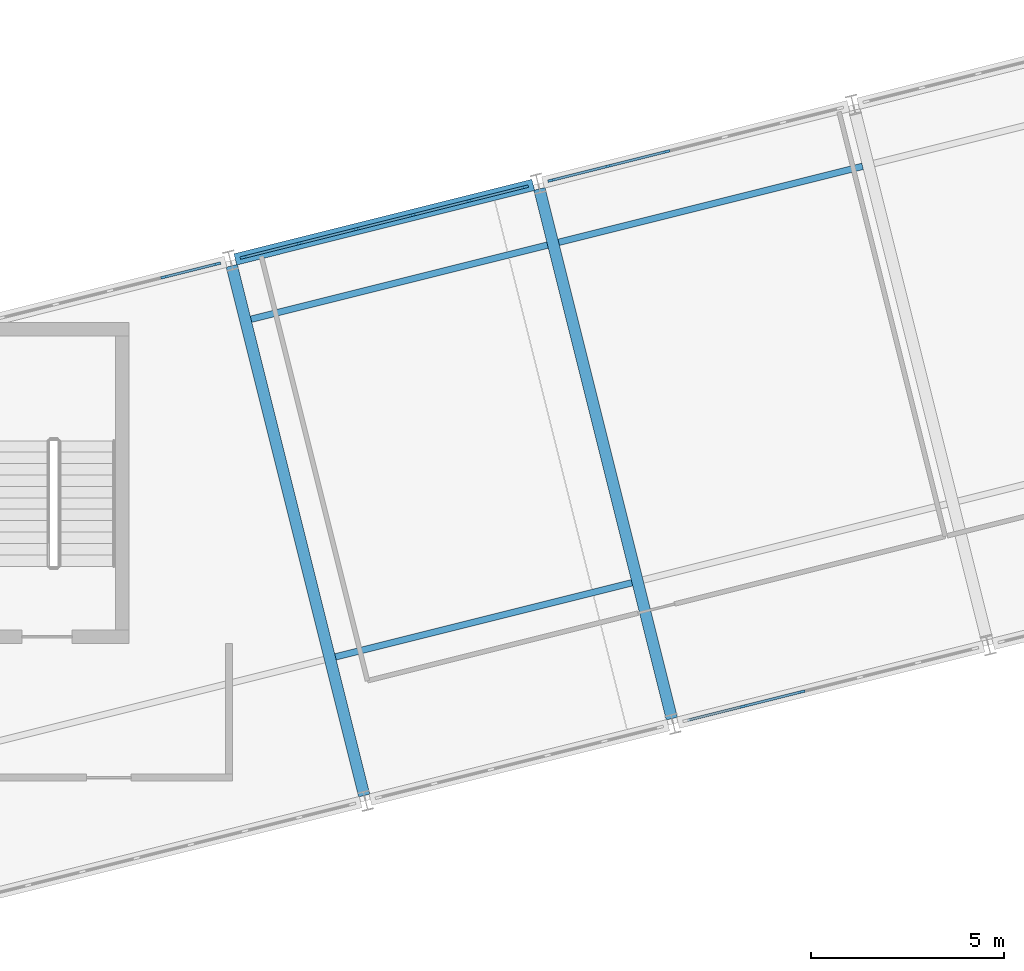
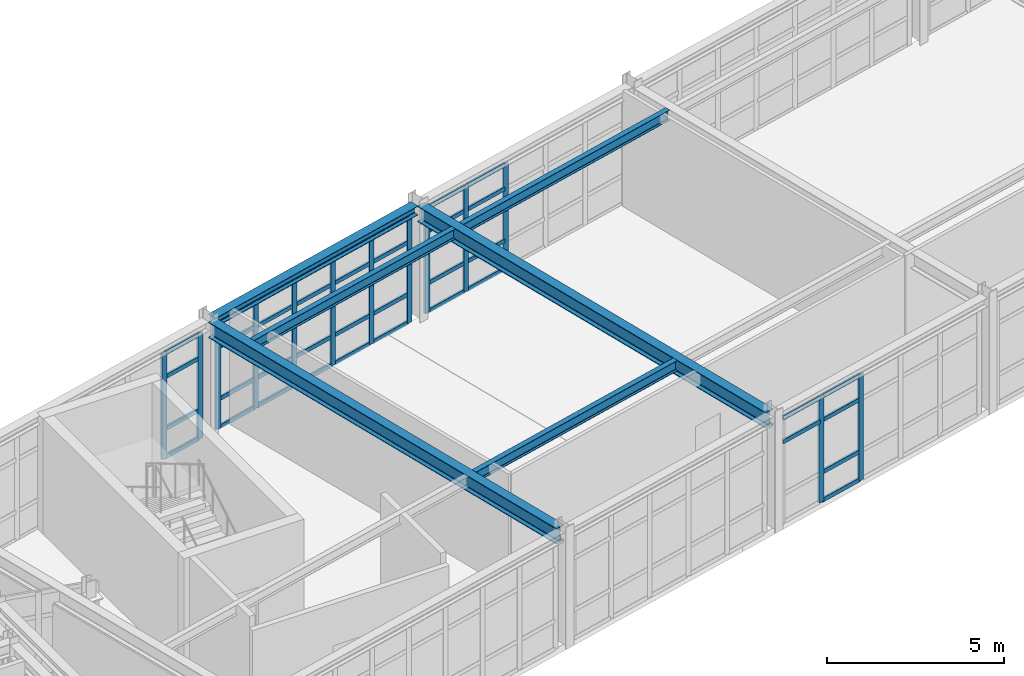
# One storey, part 20 of 88: 51 members, 6 beams, 4 elements without a shape of their own.
"""IFC4 building model written with IfcOpenShell, lengths in metres."""

from ifc_helpers import new_model, si_unit, direction, frame, origin, origin_2d, place, context, subcontext, project, spatial, rectangle, i_section, extrude, material, layer, layer_set, material_profile, profile_set, type_object, element, aggregate, save


model = new_model("IFC4")

# Units and contexts
model_context = context("Model", 3, precision=1e-05, world=origin(), true_north=direction((0.0, 1.0)))
body_context = subcontext(model_context, "Body", "Model", "MODEL_VIEW")
ifc_project = project(units=[si_unit("LENGTHUNIT", "METRE"), si_unit("AREAUNIT", "SQUARE_METRE"), si_unit("VOLUMEUNIT", "CUBIC_METRE"), si_unit("PLANEANGLEUNIT", "RADIAN"), si_unit("MASSUNIT", "GRAM", prefix="KILO")], contexts=[model_context])

# Site, building, storey
site_placement = place(None, origin())
site = spatial("IfcSite", under=ifc_project, at=site_placement, CompositionType="ELEMENT")
building_placement = place(site_placement, origin())
building = spatial("IfcBuilding", under=site, at=building_placement, Name="Nordkorset Police Headquarters", CompositionType="ELEMENT")
storey_placement = place(building_placement, frame((0.0, 0.0, 9.449951171875)))
storey = spatial("IfcBuildingStorey", under=building, at=storey_placement, Name="L02", CompositionType="ELEMENT", Elevation=9.449951171875)

# Beams
ifc_material_1 = material(Name="Steel S355J2", Category="steel")
ifc_material_profile_1 = material_profile(ifc_material_1, i_section(OverallWidth=0.169921875, OverallDepth=0.360107421875, WebThickness=0.008056640625, FlangeThickness=0.0126953125, FilletRadius=0.01806640625, at=origin_2d()), Name="IPE 360")
ifc_profile_set_1 = profile_set([ifc_material_profile_1], Name="Steel S355J2")
beam_type_1 = type_object("IfcBeamType", Name="Beam_IPE_360", PredefinedType="BEAM", material=ifc_profile_set_1)
for number, where, z_axis, x_axis, name in (
    (1, (34.65966796875, 48.681884765625, 3.7900390625), (0.970142500145, 0.242535625036, 0.0), (-0.242535625036, 0.970142500145, 0.0), "Splayed Wing Secondary Beam L02 1-1"),
    (2, (32.476806640625, 57.4130859375, 3.7900390625), (0.970142500145, 0.242535625036, 0.0), (-0.242535625036, 0.970142500145, 0.0), "Splayed Wing Secondary Beam L02 1-2"),
):
    element("IfcBeam", number, at=place(storey_placement, frame(where, z_axis=z_axis, x_axis=x_axis)), inside=storey, type_object=beam_type_1, Name=name, PredefinedType="BEAM", context=body_context, shape_type="SweptSolid", body=[
        extrude(i_section(OverallWidth=0.169921875, OverallDepth=0.360107421875, WebThickness=0.008056640625, FlangeThickness=0.0126953125, FilletRadius=0.01806640625, at=origin_2d()), origin(), (0.0, 0.0, 1.0), 7.89990234375),
    ])
beam_1_placement = place(storey_placement, frame((40.431884765625, 59.40185546875, 3.7900390625), z_axis=(0.970140727133, 0.242542716974, 0.0), x_axis=(-0.242542716974, 0.970140727133, 0.0)))
element("IfcBeam", 3, at=beam_1_placement, inside=storey, type_object=beam_type_1, Name="Splayed Wing Secondary Beam L02 2-2", PredefinedType="BEAM", context=body_context, shape_type="SweptSolid", body=[
    extrude(i_section(OverallWidth=0.169921875, OverallDepth=0.360107421875, WebThickness=0.008056640625, FlangeThickness=0.0126953125, FilletRadius=0.01806640625, at=origin_2d()), origin(), (0.0, 0.0, 1.0), 8.10009765625),
])

# Curtain wall, members
ifc_material_2 = material(Name="Aluminium alloy AW-6060", Category="aluminium")
ifc_layer_1 = layer(ifc_material_2, 0.179931640625, Name="Aluminium alloy AW-6060")
ifc_layer_set_1 = layer_set([ifc_layer_1], Name="Aluminium alloy AW-6060")
curtain_wall_type_1 = type_object("IfcCurtainWallType", Name="CW_Unit_1156x364", PredefinedType="USERDEFINED", material=ifc_layer_set_1)
curtain_wall_1_placement = place(storey_placement, origin())
curtain_wall_1 = element("IfcCurtainWall", 4, at=curtain_wall_1_placement, inside=storey, type_object=curtain_wall_type_1, Name="Unitised Curtain Wall L02 V4N-0", ObjectType="UNITISED CURTAIN WALL", PredefinedType="USERDEFINED")
ifc_material_3 = material(Name="Aluminium alloy AW-6060", Category="aluminium")
ifc_material_profile_2 = material_profile(ifc_material_3, rectangle(XDim=0.06494140625, YDim=0.179931640625, at=origin_2d()), Name="ALU MULL 65x180")
ifc_profile_set_2 = profile_set([ifc_material_profile_2], Name="Aluminium alloy AW-6060")
member_type_1 = type_object("IfcMemberType", Name="CW_Mullion_65x180", PredefinedType="MULLION", material=ifc_profile_set_2)
member_1_placement = place(storey_placement, frame((30.23095703125, 58.5009765625, 0.0), z_axis=(0.0, 0.0, 1.0), x_axis=(-0.242536235663, 0.970142347489, 0.0)))
member_1 = element("IfcMember", 5, at=member_1_placement, type_object=member_type_1, Name="CW-103 mullion 8", PredefinedType="MULLION", context=body_context, shape_type="SweptSolid", body=[
    extrude(rectangle(XDim=0.06494140625, YDim=0.179931640625, at=origin_2d()), origin(), (0.0, 0.0, 1.0), 3.64013671875),
])
member_2_placement = place(storey_placement, frame((31.601318359375, 58.843505859375, 0.0), z_axis=(0.0, 0.0, 1.0), x_axis=(-0.242536235663, 0.970142347489, 0.0)))
member_2 = element("IfcMember", 6, at=member_2_placement, type_object=member_type_1, Name="CW-103 mullion 9", PredefinedType="MULLION", context=body_context, shape_type="SweptSolid", body=[
    extrude(rectangle(XDim=0.06494140625, YDim=0.179931640625, at=origin_2d()), origin(), (0.0, 0.0, 1.0), 3.64013671875),
])

ifc_material_4 = material(Name="Aluminium alloy AW-6060", Category="aluminium")
ifc_layer_2 = layer(ifc_material_4, 0.179931640625, Name="Aluminium alloy AW-6060")
ifc_layer_set_2 = layer_set([ifc_layer_2], Name="Aluminium alloy AW-6060")
curtain_wall_type_2 = type_object("IfcCurtainWallType", Name="CW_Unit_756x364", PredefinedType="USERDEFINED", material=ifc_layer_set_2)
curtain_wall_2_placement = place(storey_placement, origin())
curtain_wall_2 = element("IfcCurtainWall", 7, at=curtain_wall_2_placement, inside=storey, type_object=curtain_wall_type_2, Name="Unitised Curtain Wall L02 V4N-1", ObjectType="UNITISED CURTAIN WALL", PredefinedType="USERDEFINED")
member_3_placement = place(storey_placement, frame((32.28515625, 59.014404296875, 0.0), z_axis=(0.0, 0.0, 1.0), x_axis=(-0.242535625038, 0.970142500145, 0.0)))
member_3 = element("IfcMember", 8, at=member_3_placement, type_object=member_type_1, Name="CW-10 mullion 1", PredefinedType="MULLION", context=body_context, shape_type="SweptSolid", body=[
    extrude(rectangle(XDim=0.06494140625, YDim=0.179931640625, at=origin_2d()), origin(), (0.0, 0.0, 1.0), 3.64013671875),
])
member_4_placement = place(storey_placement, frame((33.720458984375, 59.373291015625, 0.0), z_axis=(0.0, 0.0, 1.0), x_axis=(-0.242535625038, 0.970142500145, 0.0)))
member_4 = element("IfcMember", 9, at=member_4_placement, type_object=member_type_1, Name="CW-10 mullion 2", PredefinedType="MULLION", context=body_context, shape_type="SweptSolid", body=[
    extrude(rectangle(XDim=0.06494140625, YDim=0.179931640625, at=origin_2d()), origin(), (0.0, 0.0, 1.0), 3.64013671875),
])
member_5_placement = place(storey_placement, frame((35.1875, 59.739990234375, 0.0), z_axis=(0.0, 0.0, 1.0), x_axis=(-0.242535625038, 0.970142500145, 0.0)))
member_5 = element("IfcMember", 10, at=member_5_placement, type_object=member_type_1, Name="CW-10 mullion 3", PredefinedType="MULLION", context=body_context, shape_type="SweptSolid", body=[
    extrude(rectangle(XDim=0.06494140625, YDim=0.179931640625, at=origin_2d()), origin(), (0.0, 0.0, 1.0), 3.64013671875),
])
member_6_placement = place(storey_placement, frame((36.654296875, 60.106689453125, 0.0), z_axis=(0.0, 0.0, 1.0), x_axis=(-0.242535625038, 0.970142500145, 0.0)))
member_6 = element("IfcMember", 11, at=member_6_placement, type_object=member_type_1, Name="CW-10 mullion 4", PredefinedType="MULLION", context=body_context, shape_type="SweptSolid", body=[
    extrude(rectangle(XDim=0.06494140625, YDim=0.179931640625, at=origin_2d()), origin(), (0.0, 0.0, 1.0), 3.64013671875),
])
member_7_placement = place(storey_placement, frame((38.12109375, 60.473388671875, 0.0), z_axis=(0.0, 0.0, 1.0), x_axis=(-0.242535625038, 0.970142500145, 0.0)))
member_7 = element("IfcMember", 12, at=member_7_placement, type_object=member_type_1, Name="CW-10 mullion 5", PredefinedType="MULLION", context=body_context, shape_type="SweptSolid", body=[
    extrude(rectangle(XDim=0.06494140625, YDim=0.179931640625, at=origin_2d()), origin(), (0.0, 0.0, 1.0), 3.64013671875),
])
member_8_placement = place(storey_placement, frame((39.556396484375, 60.832275390625, 0.0), z_axis=(0.0, 0.0, 1.0), x_axis=(-0.242535625038, 0.970142500145, 0.0)))
member_8 = element("IfcMember", 13, at=member_8_placement, type_object=member_type_1, Name="CW-10 mullion 6", PredefinedType="MULLION", context=body_context, shape_type="SweptSolid", body=[
    extrude(rectangle(XDim=0.06494140625, YDim=0.179931640625, at=origin_2d()), origin(), (0.0, 0.0, 1.0), 3.64013671875),
])

ifc_material_5 = material(Name="Aluminium alloy AW-6060", Category="aluminium")
ifc_layer_3 = layer(ifc_material_5, 0.179931640625, Name="Aluminium alloy AW-6060")
ifc_layer_set_3 = layer_set([ifc_layer_3], Name="Aluminium alloy AW-6060")
curtain_wall_type_3 = type_object("IfcCurtainWallType", Name="CW_Unit_776x364", PredefinedType="USERDEFINED", material=ifc_layer_set_3)
curtain_wall_3_placement = place(storey_placement, origin())
curtain_wall_3 = element("IfcCurtainWall", 14, at=curtain_wall_3_placement, inside=storey, type_object=curtain_wall_type_3, Name="Unitised Curtain Wall L02 V4S-2", ObjectType="UNITISED CURTAIN WALL", PredefinedType="USERDEFINED")
member_9_placement = place(storey_placement, frame((45.20703125, 47.40185546875, 0.0), z_axis=(0.0, 0.0, 1.0), x_axis=(-0.24253471539, 0.970142727556, 0.0)))
member_9 = element("IfcMember", 15, at=member_9_placement, type_object=member_type_1, Name="CW-100 mullion 2", PredefinedType="MULLION", context=body_context, shape_type="SweptSolid", body=[
    extrude(rectangle(XDim=0.06494140625, YDim=0.179931640625, at=origin_2d()), origin(), (0.0, 0.0, 1.0), 3.64013671875),
])
member_10_placement = place(storey_placement, frame((46.712646484375, 47.778076171875, 0.0), z_axis=(0.0, 0.0, 1.0), x_axis=(-0.24253471539, 0.970142727556, 0.0)))
member_10 = element("IfcMember", 16, at=member_10_placement, type_object=member_type_1, Name="CW-100 mullion 3", PredefinedType="MULLION", context=body_context, shape_type="SweptSolid", body=[
    extrude(rectangle(XDim=0.06494140625, YDim=0.179931640625, at=origin_2d()), origin(), (0.0, 0.0, 1.0), 3.64013671875),
])

curtain_wall_4_placement = place(storey_placement, origin())
curtain_wall_4 = element("IfcCurtainWall", 17, at=curtain_wall_4_placement, inside=storey, type_object=curtain_wall_type_3, Name="Unitised Curtain Wall L02 V4N-2", ObjectType="UNITISED CURTAIN WALL", PredefinedType="USERDEFINED")
member_11_placement = place(storey_placement, frame((40.240478515625, 61.003173828125, 0.0), z_axis=(0.0, 0.0, 1.0), x_axis=(-0.242535928242, 0.970142424344, 0.0)))
member_11 = element("IfcMember", 18, at=member_11_placement, type_object=member_type_1, Name="CW-100 mullion 1", PredefinedType="MULLION", context=body_context, shape_type="SweptSolid", body=[
    extrude(rectangle(XDim=0.06494140625, YDim=0.179931640625, at=origin_2d()), origin(), (0.0, 0.0, 1.0), 3.64013671875),
])
member_12_placement = place(storey_placement, frame((41.714599609375, 61.371826171875, 0.0), z_axis=(0.0, 0.0, 1.0), x_axis=(-0.242535928242, 0.970142424344, 0.0)))
member_12 = element("IfcMember", 19, at=member_12_placement, type_object=member_type_1, Name="CW-100 mullion 2", PredefinedType="MULLION", context=body_context, shape_type="SweptSolid", body=[
    extrude(rectangle(XDim=0.06494140625, YDim=0.179931640625, at=origin_2d()), origin(), (0.0, 0.0, 1.0), 3.64013671875),
])
member_13_placement = place(storey_placement, frame((43.22021484375, 61.748291015625, 0.0), z_axis=(0.0, 0.0, 1.0), x_axis=(-0.242535928242, 0.970142424344, 0.0)))
member_13 = element("IfcMember", 20, at=member_13_placement, type_object=member_type_1, Name="CW-100 mullion 3", PredefinedType="MULLION", context=body_context, shape_type="SweptSolid", body=[
    extrude(rectangle(XDim=0.06494140625, YDim=0.179931640625, at=origin_2d()), origin(), (0.0, 0.0, 1.0), 3.64013671875),
])

# Member
ifc_material_6 = material(Name="Aluminium alloy AW-6060", Category="aluminium")
ifc_material_profile_3 = material_profile(ifc_material_6, rectangle(XDim=0.06494140625, YDim=0.139892578125, at=origin_2d()), Name="ALU TRAN 65x140")
ifc_profile_set_3 = profile_set([ifc_material_profile_3], Name="Aluminium alloy AW-6060")
member_type_2 = type_object("IfcMemberType", Name="CW_Transom_65x140", PredefinedType="USERDEFINED", material=ifc_profile_set_3)
member_14_placement = place(storey_placement, frame((30.262451171875, 58.5087890625, 0.032470703125), z_axis=(0.970131842518, 0.242578251565, 0.0), x_axis=(-0.242578251565, 0.970131842518, 0.0)))
member_14 = element("IfcMember", 21, at=member_14_placement, type_object=member_type_2, Name="CW-103 transom 8.1", ObjectType="TRANSOM", PredefinedType="USERDEFINED", context=body_context, shape_type="SweptSolid", body=[
    extrude(rectangle(XDim=0.06494140625, YDim=0.139892578125, at=origin_2d()), origin(), (0.0, 0.0, 1.0), 1.34765625),
])

member_15_placement = place(storey_placement, frame((30.262451171875, 58.5087890625, 1.0), z_axis=(0.970131842518, 0.242578251565, 0.0), x_axis=(-0.242578251565, 0.970131842518, 0.0)))
member_15 = element("IfcMember", 22, at=member_15_placement, type_object=member_type_2, Name="CW-103 transom 8.2", ObjectType="TRANSOM", PredefinedType="USERDEFINED", context=body_context, shape_type="SweptSolid", body=[
    extrude(rectangle(XDim=0.06494140625, YDim=0.139892578125, at=origin_2d()), origin(), (0.0, 0.0, 1.0), 1.34765625),
])

member_16_placement = place(storey_placement, frame((30.262451171875, 58.5087890625, 2.7900390625), z_axis=(0.970131842518, 0.242578251565, 0.0), x_axis=(-0.242578251565, 0.970131842518, 0.0)))
member_16 = element("IfcMember", 23, at=member_16_placement, type_object=member_type_2, Name="CW-103 transom 8.3", ObjectType="TRANSOM", PredefinedType="USERDEFINED", context=body_context, shape_type="SweptSolid", body=[
    extrude(rectangle(XDim=0.06494140625, YDim=0.139892578125, at=origin_2d()), origin(), (0.0, 0.0, 1.0), 1.34765625),
])

member_17_placement = place(storey_placement, frame((30.262451171875, 58.5087890625, 3.607666015625), z_axis=(0.970131842518, 0.242578251565, 0.0), x_axis=(-0.242578251565, 0.970131842518, 0.0)))
member_17 = element("IfcMember", 24, at=member_17_placement, type_object=member_type_2, Name="CW-103 transom 8.4", ObjectType="TRANSOM", PredefinedType="USERDEFINED", context=body_context, shape_type="SweptSolid", body=[
    extrude(rectangle(XDim=0.06494140625, YDim=0.139892578125, at=origin_2d()), origin(), (0.0, 0.0, 1.0), 1.34765625),
])

aggregate(curtain_wall_1, [member_1, member_2, member_14, member_15, member_16, member_17])

member_18_placement = place(storey_placement, frame((32.316650390625, 59.0224609375, 0.032470703125), z_axis=(0.970152651902, 0.242495014396, 0.0), x_axis=(-0.242495014396, 0.970152651902, 0.0)))
member_18 = element("IfcMember", 25, at=member_18_placement, type_object=member_type_2, Name="CW-10 transom 1.1", ObjectType="TRANSOM", PredefinedType="USERDEFINED", context=body_context, shape_type="SweptSolid", body=[
    extrude(rectangle(XDim=0.06494140625, YDim=0.139892578125, at=origin_2d()), origin(), (0.0, 0.0, 1.0), 1.41455078125),
])

member_19_placement = place(storey_placement, frame((32.316650390625, 59.0224609375, 1.0), z_axis=(0.970152651902, 0.242495014396, 0.0), x_axis=(-0.242495014396, 0.970152651902, 0.0)))
member_19 = element("IfcMember", 26, at=member_19_placement, type_object=member_type_2, Name="CW-10 transom 1.2", ObjectType="TRANSOM", PredefinedType="USERDEFINED", context=body_context, shape_type="SweptSolid", body=[
    extrude(rectangle(XDim=0.06494140625, YDim=0.139892578125, at=origin_2d()), origin(), (0.0, 0.0, 1.0), 1.41455078125),
])

member_20_placement = place(storey_placement, frame((32.316650390625, 59.0224609375, 2.7900390625), z_axis=(0.970152651902, 0.242495014396, 0.0), x_axis=(-0.242495014396, 0.970152651902, 0.0)))
member_20 = element("IfcMember", 27, at=member_20_placement, type_object=member_type_2, Name="CW-10 transom 1.3", ObjectType="TRANSOM", PredefinedType="USERDEFINED", context=body_context, shape_type="SweptSolid", body=[
    extrude(rectangle(XDim=0.06494140625, YDim=0.139892578125, at=origin_2d()), origin(), (0.0, 0.0, 1.0), 1.41455078125),
])

member_21_placement = place(storey_placement, frame((32.316650390625, 59.0224609375, 3.607666015625), z_axis=(0.970152651902, 0.242495014396, 0.0), x_axis=(-0.242495014396, 0.970152651902, 0.0)))
member_21 = element("IfcMember", 28, at=member_21_placement, type_object=member_type_2, Name="CW-10 transom 1.4", ObjectType="TRANSOM", PredefinedType="USERDEFINED", context=body_context, shape_type="SweptSolid", body=[
    extrude(rectangle(XDim=0.06494140625, YDim=0.139892578125, at=origin_2d()), origin(), (0.0, 0.0, 1.0), 1.41455078125),
])

member_22_placement = place(storey_placement, frame((33.751953125, 59.381103515625, 0.032470703125), z_axis=(0.97012264784, 0.242615020451, 0.0), x_axis=(-0.242615020451, 0.97012264784, 0.0)))
member_22 = element("IfcMember", 29, at=member_22_placement, type_object=member_type_2, Name="CW-10 transom 2.1", ObjectType="TRANSOM", PredefinedType="USERDEFINED", context=body_context, shape_type="SweptSolid", body=[
    extrude(rectangle(XDim=0.06494140625, YDim=0.139892578125, at=origin_2d()), origin(), (0.0, 0.0, 1.0), 1.447021484375),
])

member_23_placement = place(storey_placement, frame((33.751953125, 59.381103515625, 1.0), z_axis=(0.97012264784, 0.242615020451, 0.0), x_axis=(-0.242615020451, 0.97012264784, 0.0)))
member_23 = element("IfcMember", 30, at=member_23_placement, type_object=member_type_2, Name="CW-10 transom 2.2", ObjectType="TRANSOM", PredefinedType="USERDEFINED", context=body_context, shape_type="SweptSolid", body=[
    extrude(rectangle(XDim=0.06494140625, YDim=0.139892578125, at=origin_2d()), origin(), (0.0, 0.0, 1.0), 1.447021484375),
])

member_24_placement = place(storey_placement, frame((33.751953125, 59.381103515625, 2.7900390625), z_axis=(0.97012264784, 0.242615020451, 0.0), x_axis=(-0.242615020451, 0.97012264784, 0.0)))
member_24 = element("IfcMember", 31, at=member_24_placement, type_object=member_type_2, Name="CW-10 transom 2.3", ObjectType="TRANSOM", PredefinedType="USERDEFINED", context=body_context, shape_type="SweptSolid", body=[
    extrude(rectangle(XDim=0.06494140625, YDim=0.139892578125, at=origin_2d()), origin(), (0.0, 0.0, 1.0), 1.447021484375),
])

member_25_placement = place(storey_placement, frame((33.751953125, 59.381103515625, 3.607666015625), z_axis=(0.97012264784, 0.242615020451, 0.0), x_axis=(-0.242615020451, 0.97012264784, 0.0)))
member_25 = element("IfcMember", 32, at=member_25_placement, type_object=member_type_2, Name="CW-10 transom 2.4", ObjectType="TRANSOM", PredefinedType="USERDEFINED", context=body_context, shape_type="SweptSolid", body=[
    extrude(rectangle(XDim=0.06494140625, YDim=0.139892578125, at=origin_2d()), origin(), (0.0, 0.0, 1.0), 1.447021484375),
])

member_26_placement = place(storey_placement, frame((35.218994140625, 59.747802734375, 0.032470703125), z_axis=(0.97012264784, 0.242615020451, 0.0), x_axis=(-0.242615020451, 0.97012264784, 0.0)))
member_26 = element("IfcMember", 33, at=member_26_placement, type_object=member_type_2, Name="CW-10 transom 3.1", ObjectType="TRANSOM", PredefinedType="USERDEFINED", context=body_context, shape_type="SweptSolid", body=[
    extrude(rectangle(XDim=0.06494140625, YDim=0.139892578125, at=origin_2d()), origin(), (0.0, 0.0, 1.0), 1.447021484375),
])

member_27_placement = place(storey_placement, frame((35.218994140625, 59.747802734375, 1.0), z_axis=(0.97012264784, 0.242615020451, 0.0), x_axis=(-0.242615020451, 0.97012264784, 0.0)))
member_27 = element("IfcMember", 34, at=member_27_placement, type_object=member_type_2, Name="CW-10 transom 3.2", ObjectType="TRANSOM", PredefinedType="USERDEFINED", context=body_context, shape_type="SweptSolid", body=[
    extrude(rectangle(XDim=0.06494140625, YDim=0.139892578125, at=origin_2d()), origin(), (0.0, 0.0, 1.0), 1.447021484375),
])

member_28_placement = place(storey_placement, frame((35.218994140625, 59.747802734375, 2.7900390625), z_axis=(0.97012264784, 0.242615020451, 0.0), x_axis=(-0.242615020451, 0.97012264784, 0.0)))
member_28 = element("IfcMember", 35, at=member_28_placement, type_object=member_type_2, Name="CW-10 transom 3.3", ObjectType="TRANSOM", PredefinedType="USERDEFINED", context=body_context, shape_type="SweptSolid", body=[
    extrude(rectangle(XDim=0.06494140625, YDim=0.139892578125, at=origin_2d()), origin(), (0.0, 0.0, 1.0), 1.447021484375),
])

member_29_placement = place(storey_placement, frame((35.218994140625, 59.747802734375, 3.607666015625), z_axis=(0.97012264784, 0.242615020451, 0.0), x_axis=(-0.242615020451, 0.97012264784, 0.0)))
member_29 = element("IfcMember", 36, at=member_29_placement, type_object=member_type_2, Name="CW-10 transom 3.4", ObjectType="TRANSOM", PredefinedType="USERDEFINED", context=body_context, shape_type="SweptSolid", body=[
    extrude(rectangle(XDim=0.06494140625, YDim=0.139892578125, at=origin_2d()), origin(), (0.0, 0.0, 1.0), 1.447021484375),
])

member_30_placement = place(storey_placement, frame((36.685791015625, 60.11474609375, 0.032470703125), z_axis=(0.970162346765, 0.242456224748, 0.0), x_axis=(-0.242456224748, 0.970162346765, 0.0)))
member_30 = element("IfcMember", 37, at=member_30_placement, type_object=member_type_2, Name="CW-10 transom 4.1", ObjectType="TRANSOM", PredefinedType="USERDEFINED", context=body_context, shape_type="SweptSolid", body=[
    extrude(rectangle(XDim=0.06494140625, YDim=0.139892578125, at=origin_2d()), origin(), (0.0, 0.0, 1.0), 1.447021484375),
])

member_31_placement = place(storey_placement, frame((36.685791015625, 60.11474609375, 1.0), z_axis=(0.970162346765, 0.242456224748, 0.0), x_axis=(-0.242456224748, 0.970162346765, 0.0)))
member_31 = element("IfcMember", 38, at=member_31_placement, type_object=member_type_2, Name="CW-10 transom 4.2", ObjectType="TRANSOM", PredefinedType="USERDEFINED", context=body_context, shape_type="SweptSolid", body=[
    extrude(rectangle(XDim=0.06494140625, YDim=0.139892578125, at=origin_2d()), origin(), (0.0, 0.0, 1.0), 1.447021484375),
])

member_32_placement = place(storey_placement, frame((36.685791015625, 60.11474609375, 2.7900390625), z_axis=(0.970162346765, 0.242456224748, 0.0), x_axis=(-0.242456224748, 0.970162346765, 0.0)))
member_32 = element("IfcMember", 39, at=member_32_placement, type_object=member_type_2, Name="CW-10 transom 4.3", ObjectType="TRANSOM", PredefinedType="USERDEFINED", context=body_context, shape_type="SweptSolid", body=[
    extrude(rectangle(XDim=0.06494140625, YDim=0.139892578125, at=origin_2d()), origin(), (0.0, 0.0, 1.0), 1.447021484375),
])

member_33_placement = place(storey_placement, frame((36.685791015625, 60.11474609375, 3.607666015625), z_axis=(0.970162346765, 0.242456224748, 0.0), x_axis=(-0.242456224748, 0.970162346765, 0.0)))
member_33 = element("IfcMember", 40, at=member_33_placement, type_object=member_type_2, Name="CW-10 transom 4.4", ObjectType="TRANSOM", PredefinedType="USERDEFINED", context=body_context, shape_type="SweptSolid", body=[
    extrude(rectangle(XDim=0.06494140625, YDim=0.139892578125, at=origin_2d()), origin(), (0.0, 0.0, 1.0), 1.447021484375),
])

member_34_placement = place(storey_placement, frame((38.152587890625, 60.4814453125, 0.032470703125), z_axis=(0.970152651902, 0.242495014396, 0.0), x_axis=(-0.242495014396, 0.970152651902, 0.0)))
member_34 = element("IfcMember", 41, at=member_34_placement, type_object=member_type_2, Name="CW-10 transom 5.1", ObjectType="TRANSOM", PredefinedType="USERDEFINED", context=body_context, shape_type="SweptSolid", body=[
    extrude(rectangle(XDim=0.06494140625, YDim=0.139892578125, at=origin_2d()), origin(), (0.0, 0.0, 1.0), 1.41455078125),
])

member_35_placement = place(storey_placement, frame((38.152587890625, 60.4814453125, 1.0), z_axis=(0.970152651902, 0.242495014396, 0.0), x_axis=(-0.242495014396, 0.970152651902, 0.0)))
member_35 = element("IfcMember", 42, at=member_35_placement, type_object=member_type_2, Name="CW-10 transom 5.2", ObjectType="TRANSOM", PredefinedType="USERDEFINED", context=body_context, shape_type="SweptSolid", body=[
    extrude(rectangle(XDim=0.06494140625, YDim=0.139892578125, at=origin_2d()), origin(), (0.0, 0.0, 1.0), 1.41455078125),
])

member_36_placement = place(storey_placement, frame((38.152587890625, 60.4814453125, 2.7900390625), z_axis=(0.970152651902, 0.242495014396, 0.0), x_axis=(-0.242495014396, 0.970152651902, 0.0)))
member_36 = element("IfcMember", 43, at=member_36_placement, type_object=member_type_2, Name="CW-10 transom 5.3", ObjectType="TRANSOM", PredefinedType="USERDEFINED", context=body_context, shape_type="SweptSolid", body=[
    extrude(rectangle(XDim=0.06494140625, YDim=0.139892578125, at=origin_2d()), origin(), (0.0, 0.0, 1.0), 1.41455078125),
])

member_37_placement = place(storey_placement, frame((38.152587890625, 60.4814453125, 3.607666015625), z_axis=(0.970152651902, 0.242495014396, 0.0), x_axis=(-0.242495014396, 0.970152651902, 0.0)))
member_37 = element("IfcMember", 44, at=member_37_placement, type_object=member_type_2, Name="CW-10 transom 5.4", ObjectType="TRANSOM", PredefinedType="USERDEFINED", context=body_context, shape_type="SweptSolid", body=[
    extrude(rectangle(XDim=0.06494140625, YDim=0.139892578125, at=origin_2d()), origin(), (0.0, 0.0, 1.0), 1.41455078125),
])

aggregate(curtain_wall_2, [member_3, member_4, member_5, member_6, member_7, member_8, member_18, member_19, member_20, member_21, member_22, member_23, member_24, member_25, member_26, member_27, member_28, member_29, member_30, member_31, member_32, member_33, member_34, member_35, member_36, member_37])

member_38_placement = place(storey_placement, frame((43.764404296875, 47.041015625, 2.7900390625), z_axis=(0.970142500145, 0.242535625036, 0.0), x_axis=(-0.242535625036, 0.970142500145, 0.0)))
member_38 = element("IfcMember", 45, at=member_38_placement, type_object=member_type_2, Name="CW-100 transom 1.3", ObjectType="TRANSOM", PredefinedType="USERDEFINED", context=body_context, shape_type="SweptSolid", body=[
    extrude(rectangle(XDim=0.06494140625, YDim=0.139892578125, at=origin_2d()), origin(), (0.0, 0.0, 1.0), 1.45458984375),
])

member_39_placement = place(storey_placement, frame((43.764404296875, 47.041015625, 3.607666015625), z_axis=(0.970142500145, 0.242535625036, 0.0), x_axis=(-0.242535625036, 0.970142500145, 0.0)))
member_39 = element("IfcMember", 46, at=member_39_placement, type_object=member_type_2, Name="CW-100 transom 1.4", ObjectType="TRANSOM", PredefinedType="USERDEFINED", context=body_context, shape_type="SweptSolid", body=[
    extrude(rectangle(XDim=0.06494140625, YDim=0.139892578125, at=origin_2d()), origin(), (0.0, 0.0, 1.0), 1.45458984375),
])

member_40_placement = place(storey_placement, frame((45.238525390625, 47.40966796875, 0.032470703125), z_axis=(0.970152157148, 0.242496993757, 0.0), x_axis=(-0.242496993757, 0.970152157148, 0.0)))
member_40 = element("IfcMember", 47, at=member_40_placement, type_object=member_type_2, Name="CW-100 transom 2.1", ObjectType="TRANSOM", PredefinedType="USERDEFINED", context=body_context, shape_type="SweptSolid", body=[
    extrude(rectangle(XDim=0.06494140625, YDim=0.139892578125, at=origin_2d()), origin(), (0.0, 0.0, 1.0), 1.487060546875),
])

member_41_placement = place(storey_placement, frame((45.238525390625, 47.40966796875, 1.0), z_axis=(0.970152157148, 0.242496993757, 0.0), x_axis=(-0.242496993757, 0.970152157148, 0.0)))
member_41 = element("IfcMember", 48, at=member_41_placement, type_object=member_type_2, Name="CW-100 transom 2.2", ObjectType="TRANSOM", PredefinedType="USERDEFINED", context=body_context, shape_type="SweptSolid", body=[
    extrude(rectangle(XDim=0.06494140625, YDim=0.139892578125, at=origin_2d()), origin(), (0.0, 0.0, 1.0), 1.487060546875),
])

member_42_placement = place(storey_placement, frame((45.238525390625, 47.40966796875, 2.7900390625), z_axis=(0.970152157148, 0.242496993757, 0.0), x_axis=(-0.242496993757, 0.970152157148, 0.0)))
member_42 = element("IfcMember", 49, at=member_42_placement, type_object=member_type_2, Name="CW-100 transom 2.3", ObjectType="TRANSOM", PredefinedType="USERDEFINED", context=body_context, shape_type="SweptSolid", body=[
    extrude(rectangle(XDim=0.06494140625, YDim=0.139892578125, at=origin_2d()), origin(), (0.0, 0.0, 1.0), 1.487060546875),
])

member_43_placement = place(storey_placement, frame((45.238525390625, 47.40966796875, 3.607666015625), z_axis=(0.970152157148, 0.242496993757, 0.0), x_axis=(-0.242496993757, 0.970152157148, 0.0)))
member_43 = element("IfcMember", 50, at=member_43_placement, type_object=member_type_2, Name="CW-100 transom 2.4", ObjectType="TRANSOM", PredefinedType="USERDEFINED", context=body_context, shape_type="SweptSolid", body=[
    extrude(rectangle(XDim=0.06494140625, YDim=0.139892578125, at=origin_2d()), origin(), (0.0, 0.0, 1.0), 1.487060546875),
])

aggregate(curtain_wall_3, [member_9, member_10, member_38, member_39, member_40, member_41, member_42, member_43])

member_44_placement = place(storey_placement, frame((40.27197265625, 61.01123046875, 0.032470703125), z_axis=(0.970132624514, 0.242575124143, 0.0), x_axis=(-0.242575124143, 0.970132624514, 0.0)))
member_44 = element("IfcMember", 51, at=member_44_placement, type_object=member_type_2, Name="CW-100 transom 1.1", ObjectType="TRANSOM", PredefinedType="USERDEFINED", context=body_context, shape_type="SweptSolid", body=[
    extrude(rectangle(XDim=0.06494140625, YDim=0.139892578125, at=origin_2d()), origin(), (0.0, 0.0, 1.0), 1.454345703125),
])

member_45_placement = place(storey_placement, frame((40.27197265625, 61.01123046875, 1.0), z_axis=(0.970132624514, 0.242575124143, 0.0), x_axis=(-0.242575124143, 0.970132624514, 0.0)))
member_45 = element("IfcMember", 52, at=member_45_placement, type_object=member_type_2, Name="CW-100 transom 1.2", ObjectType="TRANSOM", PredefinedType="USERDEFINED", context=body_context, shape_type="SweptSolid", body=[
    extrude(rectangle(XDim=0.06494140625, YDim=0.139892578125, at=origin_2d()), origin(), (0.0, 0.0, 1.0), 1.454345703125),
])

member_46_placement = place(storey_placement, frame((40.27197265625, 61.01123046875, 2.7900390625), z_axis=(0.970132624514, 0.242575124143, 0.0), x_axis=(-0.242575124143, 0.970132624514, 0.0)))
member_46 = element("IfcMember", 53, at=member_46_placement, type_object=member_type_2, Name="CW-100 transom 1.3", ObjectType="TRANSOM", PredefinedType="USERDEFINED", context=body_context, shape_type="SweptSolid", body=[
    extrude(rectangle(XDim=0.06494140625, YDim=0.139892578125, at=origin_2d()), origin(), (0.0, 0.0, 1.0), 1.454345703125),
])

member_47_placement = place(storey_placement, frame((40.27197265625, 61.01123046875, 3.607666015625), z_axis=(0.970132624514, 0.242575124143, 0.0), x_axis=(-0.242575124143, 0.970132624514, 0.0)))
member_47 = element("IfcMember", 54, at=member_47_placement, type_object=member_type_2, Name="CW-100 transom 1.4", ObjectType="TRANSOM", PredefinedType="USERDEFINED", context=body_context, shape_type="SweptSolid", body=[
    extrude(rectangle(XDim=0.06494140625, YDim=0.139892578125, at=origin_2d()), origin(), (0.0, 0.0, 1.0), 1.454345703125),
])

member_48_placement = place(storey_placement, frame((41.74609375, 61.379638671875, 0.032470703125), z_axis=(0.970152157148, 0.242496993757, 0.0), x_axis=(-0.242496993757, 0.970152157148, 0.0)))
member_48 = element("IfcMember", 55, at=member_48_placement, type_object=member_type_2, Name="CW-100 transom 2.1", ObjectType="TRANSOM", PredefinedType="USERDEFINED", context=body_context, shape_type="SweptSolid", body=[
    extrude(rectangle(XDim=0.06494140625, YDim=0.139892578125, at=origin_2d()), origin(), (0.0, 0.0, 1.0), 1.487060546875),
])

member_49_placement = place(storey_placement, frame((41.74609375, 61.379638671875, 1.0), z_axis=(0.970152157148, 0.242496993757, 0.0), x_axis=(-0.242496993757, 0.970152157148, 0.0)))
member_49 = element("IfcMember", 56, at=member_49_placement, type_object=member_type_2, Name="CW-100 transom 2.2", ObjectType="TRANSOM", PredefinedType="USERDEFINED", context=body_context, shape_type="SweptSolid", body=[
    extrude(rectangle(XDim=0.06494140625, YDim=0.139892578125, at=origin_2d()), origin(), (0.0, 0.0, 1.0), 1.487060546875),
])

member_50_placement = place(storey_placement, frame((41.74609375, 61.379638671875, 2.7900390625), z_axis=(0.970152157148, 0.242496993757, 0.0), x_axis=(-0.242496993757, 0.970152157148, 0.0)))
member_50 = element("IfcMember", 57, at=member_50_placement, type_object=member_type_2, Name="CW-100 transom 2.3", ObjectType="TRANSOM", PredefinedType="USERDEFINED", context=body_context, shape_type="SweptSolid", body=[
    extrude(rectangle(XDim=0.06494140625, YDim=0.139892578125, at=origin_2d()), origin(), (0.0, 0.0, 1.0), 1.487060546875),
])

member_51_placement = place(storey_placement, frame((41.74609375, 61.379638671875, 3.607666015625), z_axis=(0.970152157148, 0.242496993757, 0.0), x_axis=(-0.242496993757, 0.970152157148, 0.0)))
member_51 = element("IfcMember", 58, at=member_51_placement, type_object=member_type_2, Name="CW-100 transom 2.4", ObjectType="TRANSOM", PredefinedType="USERDEFINED", context=body_context, shape_type="SweptSolid", body=[
    extrude(rectangle(XDim=0.06494140625, YDim=0.139892578125, at=origin_2d()), origin(), (0.0, 0.0, 1.0), 1.487060546875),
])

aggregate(curtain_wall_4, [member_11, member_12, member_13, member_44, member_45, member_46, member_47, member_48, member_49, member_50, member_51])

# Beams
ifc_material_7 = material(Name="Steel S355J2", Category="steel")
ifc_material_profile_4 = material_profile(ifc_material_7, i_section(OverallWidth=0.300048828125, OverallDepth=0.5400390625, WebThickness=0.012451171875, FlangeThickness=0.02392578125, FilletRadius=0.027099609375, at=origin_2d()), Name="HEA 550")
ifc_profile_set_4 = profile_set([ifc_material_profile_4], Name="Steel S355J2")
beam_type_2 = type_object("IfcBeamType", Name="Girder_HEA_550", PredefinedType="USERDEFINED", material=ifc_profile_set_4)
for number, where, z_axis, x_axis, name in (
    (59, (35.40185546875, 45.0947265625, 3.699951171875), (-0.24253155672, 0.970143517215, 0.0), (-0.970143517215, -0.24253155672, 0.0), "Splayed Wing Transverse Girder L02 1"),
    (60, (43.35693359375, 47.08349609375, 3.699951171875), (-0.24253155672, 0.970143517215, 0.0), (-0.970143517215, -0.24253155672, 0.0), "Splayed Wing Transverse Girder L02 2"),
):
    element("IfcBeam", number, at=place(storey_placement, frame(where, z_axis=z_axis, x_axis=x_axis)), inside=storey, type_object=beam_type_2, Name=name, ObjectType="GIRDER", PredefinedType="USERDEFINED", context=body_context, shape_type="SweptSolid", body=[
        extrude(i_section(OverallWidth=0.300048828125, OverallDepth=0.5400390625, WebThickness=0.012451171875, FlangeThickness=0.02392578125, FilletRadius=0.027099609375, at=origin_2d()), origin(), (0.0, 0.0, 1.0), 14.1201171875),
    ])
ifc_material_8 = material(Name="Steel S355J2", Category="steel")
ifc_material_profile_5 = material_profile(ifc_material_8, i_section(OverallWidth=0.300048828125, OverallDepth=0.31005859375, WebThickness=0.009033203125, FlangeThickness=0.015380859375, FilletRadius=0.027099609375, at=origin_2d()), Name="HEA 320")
ifc_profile_set_5 = profile_set([ifc_material_profile_5], Name="Steel S355J2")
beam_type_3 = type_object("IfcBeamType", Name="Spandrel_HEA_320", PredefinedType="SPANDREL", material=ifc_profile_set_5)
beam_2_placement = place(storey_placement, frame((32.0693359375, 58.96044921875, 3.81494140625), z_axis=(0.970140691393, 0.242542859932, 0.0), x_axis=(-0.242542859932, 0.970140691393, 0.0)))
element("IfcBeam", 61, at=beam_2_placement, inside=storey, type_object=beam_type_3, Name="Splayed Wing Spandrel L02 1-1", PredefinedType="SPANDREL", context=body_context, shape_type="SweptSolid", body=[
    extrude(i_section(OverallWidth=0.300048828125, OverallDepth=0.31005859375, WebThickness=0.009033203125, FlangeThickness=0.015380859375, FilletRadius=0.027099609375, at=origin_2d()), origin(), (0.0, 0.0, 1.0), 7.93994140625),
])

save(model, "model.ifc")
